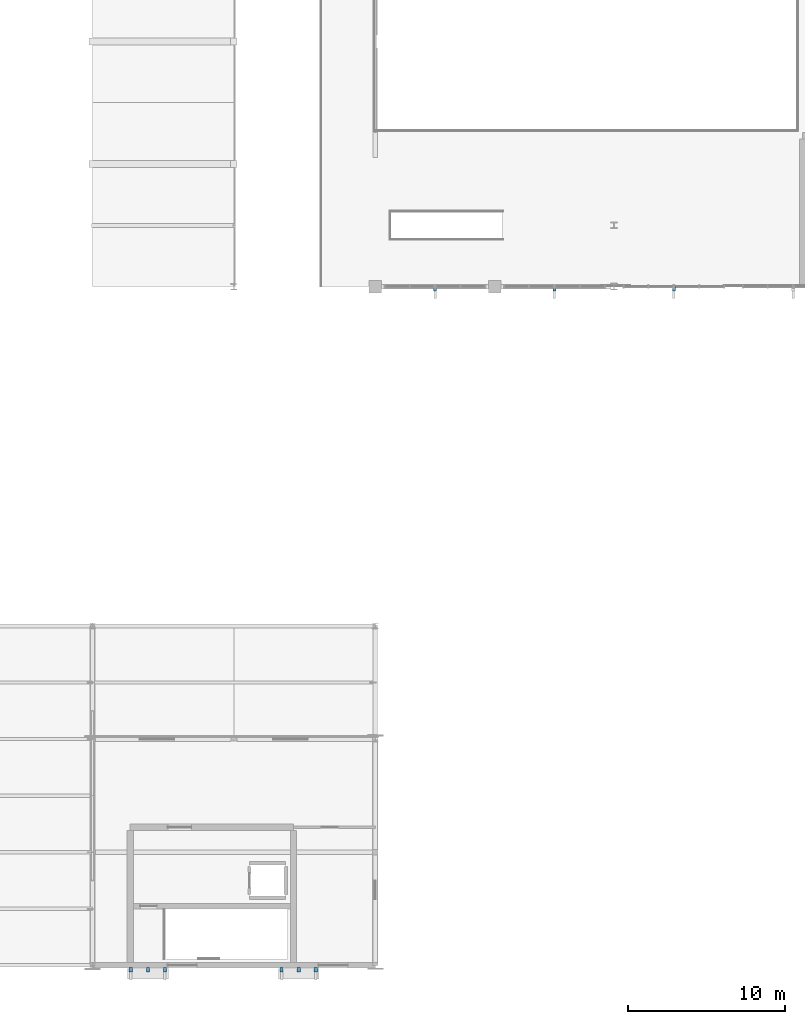
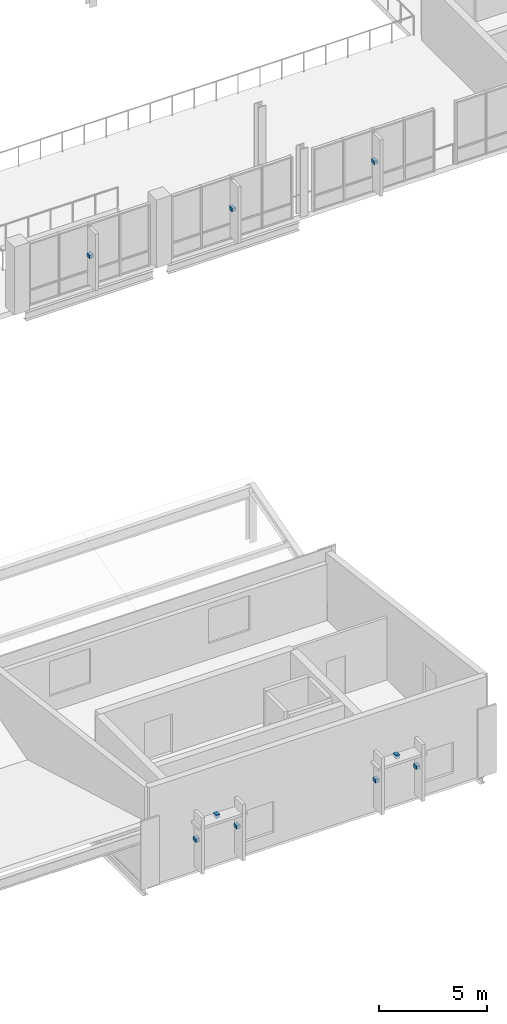
# One storey, part 49 of 64: 9 discrete accessories.
"""IFC4 building model written with IfcOpenShell, lengths in metres."""

import ifcopenshell
import ifcopenshell.guid

model = None  # the IFC model being written
_history = None  # IfcOwnerHistory: only IFC2X3 demands one
_inside = {}  # id of a spatial element -> (the spatial element, [elements in it])
_under = {}  # id of a project, library or spatial element -> (it, [spatial elements below it])
_declared = {}  # id of a project -> (the project, [libraries it declares])
_typed = {}  # id of a type object -> (the type object, [elements of that type])
_made_of = {}  # id of a material, layer set ... -> (it, [elements and type objects made of it])


def new_model(schema):
    """Start an empty IFC model of exactly this schema.

    Asked for "IFC4X3", IfcOpenShell would pick the latest addendum, in which some entities
    have other attributes; the version numbers below select the first issue.
    IFC2X3 requires an IfcOwnerHistory on every rooted entity: one is made here for all.
    """
    global model, _history
    if schema == "IFC4X3":
        model = ifcopenshell.file(schema_version=(4, 3, 0, 0))
    else:
        model = ifcopenshell.file(schema=schema)
    _inside.clear()
    _under.clear()
    _declared.clear()
    _typed.clear()
    _made_of.clear()
    _history = None
    if model.schema == "IFC2X3":
        org = make("IfcOrganization", Name="unknown")
        user = make(
            "IfcPersonAndOrganization",
            ThePerson=make("IfcPerson", FamilyName="unknown"),
            TheOrganization=org,
        )
        app = make(
            "IfcApplication",
            ApplicationDeveloper=org,
            Version="unknown",
            ApplicationFullName="unknown",
            ApplicationIdentifier="unknown",
        )
        _history = make(
            "IfcOwnerHistory",
            OwningUser=user,
            OwningApplication=app,
            ChangeAction="ADDED",
            CreationDate=0,
        )
    return model


def make(cls, **values):
    """One entity of the class cls with the attributes given. An attribute that is None is left unset."""
    return model.create_entity(
        cls, **{name: value for name, value in values.items() if value is not None}
    )


def rooted(cls, **values):
    """An entity with a GlobalId (a new one), such as an element, a storey or a relation."""
    return make(cls, GlobalId=ifcopenshell.guid.new(), OwnerHistory=_history, **values)


def si_unit(unit_type, name, prefix=None):
    """IfcSIUnit, for example si_unit("LENGTHUNIT", "METRE", prefix="MILLI")."""
    return make("IfcSIUnit", UnitType=unit_type, Prefix=prefix, Name=name)


def assignment(units):
    """IfcUnitAssignment: the units of a project."""
    return None if units is None else make("IfcUnitAssignment", Units=units)


def point(xyz):
    """IfcCartesianPoint."""
    return None if xyz is None else make("IfcCartesianPoint", Coordinates=xyz)


def direction(xyz):
    """IfcDirection."""
    return None if xyz is None else make("IfcDirection", DirectionRatios=xyz)


def frame(location, z_axis=None, x_axis=None):
    """IfcAxis2Placement3D, a coordinate frame: its origin and axes. An axis left out is left unset."""
    return make(
        "IfcAxis2Placement3D",
        Location=point(location),
        Axis=direction(z_axis),
        RefDirection=direction(x_axis),
    )


def frame_2d(location, x_axis=None):
    """IfcAxis2Placement2D, a coordinate frame in the plane: its origin and x axis."""
    return make(
        "IfcAxis2Placement2D", Location=point(location), RefDirection=direction(x_axis)
    )


def origin():
    """The frame at (0, 0, 0) with its axes left unset."""
    return frame((0.0, 0.0, 0.0))


def origin_2d():
    """The frame at (0, 0) in the plane with its x axis left unset."""
    return frame_2d((0.0, 0.0))


def place(relative_to, where):
    """IfcLocalPlacement: puts the frame where relative to a parent placement (None: the world)."""
    return make(
        "IfcLocalPlacement", PlacementRelTo=relative_to, RelativePlacement=where
    )


def context(
    kind, dimensions, precision=None, world=None, true_north=None, identifier=None
):
    """IfcGeometricRepresentationContext, for example the 3D "Model" context."""
    return make(
        "IfcGeometricRepresentationContext",
        ContextIdentifier=identifier,
        ContextType=kind,
        CoordinateSpaceDimension=dimensions,
        Precision=precision,
        WorldCoordinateSystem=world,
        TrueNorth=true_north,
    )


def subcontext(parent, identifier, kind, view, scale=None):
    """IfcGeometricRepresentationSubContext, for example "Body" below "Model"."""
    return make(
        "IfcGeometricRepresentationSubContext",
        ContextIdentifier=identifier,
        ContextType=kind,
        ParentContext=parent,
        TargetScale=scale,
        TargetView=view,
    )


def project(units=None, contexts=None):
    """IfcProject with its units and contexts."""
    return rooted(
        "IfcProject",
        Name="project",
        RepresentationContexts=contexts,
        UnitsInContext=assignment(units),
    )


def spatial(cls, under=None, at=None, **own):
    """A site, building, storey or space (cls), placed at a placement, below another one or the project."""
    s = rooted(cls, ObjectPlacement=at, **own)
    if under is not None:
        _under.setdefault(under.id(), (under, []))[1].append(s)
    return s


def profile(cls, at=None, kind="AREA", **sizes):
    """A parametric profile (cls). Its sizes go by their IFC names, for example OverallWidth=200.0."""
    return make(cls, ProfileType=kind, Position=at, **sizes)


def rectangle(**sizes):
    """IfcRectangleProfileDef."""
    return profile("IfcRectangleProfileDef", **sizes)


def extrude(swept, where, along, depth):
    """IfcExtrudedAreaSolid: the profile swept, set in the frame where, extruded along a direction by depth."""
    return make(
        "IfcExtrudedAreaSolid",
        SweptArea=swept,
        Position=where,
        ExtrudedDirection=direction(along),
        Depth=depth,
    )


def shape(context_of_items, identifier, shape_type, items):
    """IfcShapeRepresentation: the items that make up one representation, for example the "Body"."""
    return make(
        "IfcShapeRepresentation",
        ContextOfItems=context_of_items,
        RepresentationIdentifier=identifier,
        RepresentationType=shape_type,
        Items=items,
    )


def material(Name=None, Category=None):
    """IfcMaterial."""
    return make("IfcMaterial", Name=Name, Category=Category)


def made_of(thing, what):
    """Note that an element or type object is made of a material, layer set ...; save() writes the relation."""
    if what is not None:
        _made_of.setdefault(what.id(), (what, []))[1].append(thing)
    return thing


def type_object(cls, material=None, **own):
    """A type object (cls), such as IfcWallType, which elements share."""
    return made_of(rooted(cls, **own), material)


def element(
    cls,
    number,
    at=None,
    inside=None,
    cuts=None,
    type_object=None,
    material=None,
    context=None,
    identifier="Body",
    shape_type=None,
    held_by="IfcProductDefinitionShape",
    body=None,
    shapes=None,
    **own,
):
    """One element of the class cls, such as IfcWall. Its Tag is "e" and its number.

    at: its placement. inside: the storey or other place that contains it. cuts: it is an
    opening in that element (IfcRelVoidsElement). A single representation is given by context,
    identifier, shape_type and body (its items); several are given by shapes. held_by: the class
    of the entity that holds the representations. save() writes the other relations.
    """
    e = rooted(cls, Tag="e%d" % number, ObjectPlacement=at, **own)
    if body is not None:
        shapes = [shape(context, identifier, shape_type, body)]
    if shapes is not None:
        e.Representation = make(held_by, Representations=shapes)
    if inside is not None:
        _inside.setdefault(inside.id(), (inside, []))[1].append(e)
    if cuts is not None:
        rooted(
            "IfcRelVoidsElement", RelatingBuildingElement=cuts, RelatedOpeningElement=e
        )
    if type_object is not None:
        _typed.setdefault(type_object.id(), (type_object, []))[1].append(e)
    return made_of(e, material)


def aggregate(whole, parts):
    """IfcRelAggregates: a whole, such as a stair, and the parts it consists of."""
    return rooted("IfcRelAggregates", RelatingObject=whole, RelatedObjects=parts)


def save(model, path):
    """Write the relations noted so far, then the file.

    IfcRelAggregates (storeys below a building ...), IfcRelContainedInSpatialStructure (elements
    in a storey), IfcRelDefinesByType, IfcRelAssociatesMaterial and IfcRelDeclares: one each for
    every whole, place, type object, material and project.
    """
    for whole, parts in _under.values():
        aggregate(whole, parts)
    for where, things in _inside.values():
        rooted(
            "IfcRelContainedInSpatialStructure",
            RelatedElements=things,
            RelatingStructure=where,
        )
    for kind, things in _typed.values():
        rooted("IfcRelDefinesByType", RelatedObjects=things, RelatingType=kind)
    for what, things in _made_of.values():
        rooted("IfcRelAssociatesMaterial", RelatedObjects=things, RelatingMaterial=what)
    for by, libraries in _declared.values():
        rooted("IfcRelDeclares", RelatingContext=by, RelatedDefinitions=libraries)
    model.write(path)


model = new_model("IFC4")

# Units and contexts
model_context = context("Model", 3, precision=1e-05, world=origin(), true_north=direction((0.0, 1.0)))
body_context = subcontext(model_context, "Body", "Model", "MODEL_VIEW")
ifc_project = project(units=[si_unit("LENGTHUNIT", "METRE"), si_unit("AREAUNIT", "SQUARE_METRE"), si_unit("VOLUMEUNIT", "CUBIC_METRE"), si_unit("PLANEANGLEUNIT", "RADIAN"), si_unit("MASSUNIT", "GRAM", prefix="KILO")], contexts=[model_context])

# Site, building, storey
site_placement = place(None, origin())
site = spatial("IfcSite", under=ifc_project, at=site_placement, CompositionType="ELEMENT")
building_placement = place(site_placement, origin())
building = spatial("IfcBuilding", under=site, at=building_placement, Name="Vervanel Yard Central Library", CompositionType="ELEMENT")
storey_placement = place(building_placement, frame((0.0, 0.0, 8.93994140625)))
storey = spatial("IfcBuildingStorey", under=building, at=storey_placement, Name="L02", CompositionType="ELEMENT", Elevation=8.93994140625)

# Discrete accessories
ifc_material = material(Name="Steel ASTM A572 Grade 50", Category="steel")
discrete_accessory_type = type_object("IfcDiscreteAccessoryType", Name="Stainless Solar Fin Fixing Bracket", PredefinedType="BRACKET", material=ifc_material)
for number, where, z_axis, x_axis, name in (
    (1, (111.800048828125, 43.070068359375, 1.6552734375), (0.0, 0.0, 1.0), (1.0, 0.0, 0.0), "L02 Solar Fin Bracket 455"),
    (2, (119.39990234375, 43.070068359375, 1.6552734375), (0.0, 0.0, 1.0), (1.0, 0.0, 0.0), "L02 Solar Fin Bracket 456"),
    (3, (127.0, 43.070068359375, 1.6552734375), (0.0, 0.0, 1.0), (1.0, 0.0, 0.0), "L02 Solar Fin Bracket 457"),
    (4, (92.43994140625, -0.2900390625, 1.77490234375), (0.0, 0.0, 1.0), (1.0, 0.0, 0.0), "L02 Solar Fin Bracket 610"),
    (5, (94.610107421875, -0.2900390625, 1.77490234375), (0.0, 0.0, 1.0), (1.0, 0.0, 0.0), "L02 Solar Fin Bracket 611"),
    (6, (93.52490234375, -0.2900390625, 2.75), (0.0, 0.0, 1.0), (1.0, 0.0, 0.0), "L02 Sunhood Bracket 119"),
    (7, (102.0400390625, -0.2900390625, 1.77490234375), (0.0, 0.0, 1.0), (1.0, 0.0, 0.0), "L02 Solar Fin Bracket 612"),
    (8, (104.2099609375, -0.2900390625, 1.77490234375), (0.0, 0.0, 1.0), (1.0, 0.0, 0.0), "L02 Solar Fin Bracket 613"),
    (9, (103.125, -0.2900390625, 2.75), (0.0, 0.0, 1.0), (1.0, 0.0, 0.0), "L02 Sunhood Bracket 120"),
):
    element("IfcDiscreteAccessory", number, at=place(storey_placement, frame(where, z_axis=z_axis, x_axis=x_axis)), inside=storey, type_object=discrete_accessory_type, Name=name, PredefinedType="BRACKET", context=body_context, shape_type="SweptSolid", body=[
        extrude(rectangle(XDim=0.199951171875, YDim=0.280029296875, at=origin_2d()), origin(), (0.0, 0.0, 1.0), 0.199951171875),
    ])

save(model, "model.ifc")
